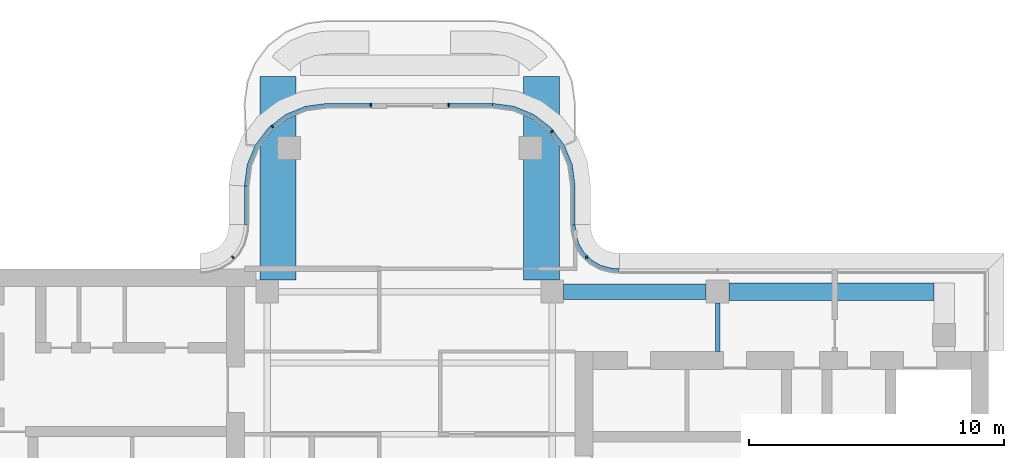
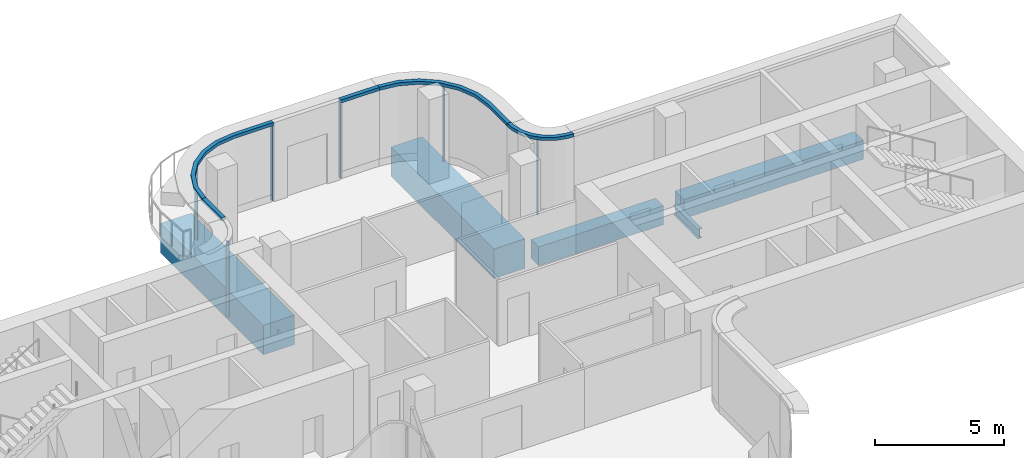
# One storey, part 4 of 11: 11 members, 5 beams, 6 elements without a shape of their own.
"""IFC4 building model written with IfcOpenShell, lengths in metres."""

from ifc_helpers import new_model, si_unit, direction, frame, origin, origin_2d, place, context, subcontext, project, spatial, polyline, rectangle, i_section, outline, extrude, source, transform, mapped, material, layer, layer_set, material_profile, profile_set, type_object, element, aggregate, save


model = new_model("IFC4")

# Units and contexts
model_context = context("Model", 3, precision=1e-05, world=origin(), true_north=direction((0.0, 1.0)))
body_context = subcontext(model_context, "Body", "Model", "MODEL_VIEW")
ifc_project = project(units=[si_unit("LENGTHUNIT", "METRE"), si_unit("AREAUNIT", "SQUARE_METRE"), si_unit("VOLUMEUNIT", "CUBIC_METRE"), si_unit("PLANEANGLEUNIT", "RADIAN"), si_unit("MASSUNIT", "GRAM", prefix="KILO")], contexts=[model_context])

# Site, building, storey
site_placement = place(None, origin())
site = spatial("IfcSite", under=ifc_project, at=site_placement, CompositionType="ELEMENT")
building_placement = place(site_placement, origin())
building = spatial("IfcBuilding", under=site, at=building_placement, Name="Trellis Farm Tower", CompositionType="ELEMENT")
storey_placement = place(building_placement, frame((0.0, 0.0, 346.10009765625)))
storey = spatial("IfcBuildingStorey", under=building, at=storey_placement, Name="L78", CompositionType="ELEMENT", Elevation=346.10009765625)

# Curtain wall, member
ifc_material_1 = material(Name="Aluminium and glass curtain wall", Category="aluminium")
ifc_layer_1 = layer(ifc_material_1, 0.176025390625)
ifc_layer_set_1 = layer_set([ifc_layer_1], Name="CROWN LANTERN CURTAIN WALL CW5")
curtain_wall_type = type_object("IfcCurtainWallType", Name="CROWN LANTERN CURTAIN WALL CW5", PredefinedType="NOTDEFINED", material=ifc_layer_set_1)
placement_1 = place(storey_placement, origin())
curtain_wall_1 = element("IfcCurtainWall", 1, at=placement_1, inside=storey, type_object=curtain_wall_type, Name="CW5 010", PredefinedType="NOTDEFINED")
ifc_material_2 = material(Name="Aluminium extrusion 6063-T6", Category="aluminium")
ifc_layer_2 = layer(ifc_material_2, 0.176025390625)
ifc_layer_set_2 = layer_set([ifc_layer_2], Name="Aluminium extrusion 6063-T6")
member_type_1 = type_object("IfcMemberType", Name="CW5 TRANSOM 176x150", PredefinedType="USERDEFINED", material=ifc_layer_set_2)
placement_2 = place(storey_placement, frame((0.0, 0.0, 3.599853515625)))
member_1 = element("IfcMember", 2, at=placement_2, type_object=member_type_1, Name="TR5 010", ObjectType="TRANSOM", PredefinedType="USERDEFINED", context=body_context, shape_type="SweptSolid", body=[
    extrude(outline(polyline([(3.25, 13.0), (1.5, 13.0), (1.5, 12.823974609375), (3.238525390625, 12.823974609375), (3.25, 13.0)])), origin(), (0.0, 0.0, 1.0), 0.150146484375),
])

curtain_wall_2 = element("IfcCurtainWall", 3, at=placement_1, inside=storey, type_object=curtain_wall_type, Name="CW5 011", PredefinedType="NOTDEFINED")
member_2 = element("IfcMember", 4, at=placement_2, type_object=member_type_1, Name="TR5 011", ObjectType="TRANSOM", PredefinedType="USERDEFINED", context=body_context, shape_type="SweptSolid", body=[
    extrude(outline(polyline([(-1.5, 13.0), (-3.25, 13.0), (-4.091064453125, 12.88916015625), (-4.875, 12.564697265625), (-5.548095703125, 12.048095703125), (-6.064697265625, 11.375), (-6.38916015625, 10.591064453125), (-6.5, 9.75), (-6.323974609375, 9.738525390625), (-6.2177734375, 10.545166015625), (-5.910888671875, 11.2861328125), (-5.422607421875, 11.922607421875), (-4.7861328125, 12.410888671875), (-4.045166015625, 12.7177734375), (-3.238525390625, 12.823974609375), (-1.5, 12.823974609375), (-1.5, 13.0)])), origin(), (0.0, 0.0, 1.0), 0.150146484375),
])

# Beams
ifc_material_3 = material(Name="Concrete C60/75", Category="concrete")
ifc_material_profile_1 = material_profile(ifc_material_3, rectangle(XDim=0.60009765625, YDim=0.89990234375, at=origin_2d()), Name="RC spandrel beam 600x900 C60/75")
ifc_profile_set_1 = profile_set([ifc_material_profile_1], Name="Concrete C60/75")
beam_type_1 = type_object("IfcBeamType", Name="RC spandrel beam 600x900 C60/75", PredefinedType="SPANDREL", material=ifc_profile_set_1)
shared_shape_1 = source(origin(), body_context, "Body", "SweptSolid", [
    extrude(rectangle(XDim=0.60009765625, YDim=0.89990234375, at=origin_2d()), origin(), (0.0, 0.0, 1.0), 5.599853515625),
])
beam_1_placement = place(storey_placement, frame((6.050048828125, 5.60009765625, -0.7001953125), z_axis=(1.0, 0.0, 0.0), x_axis=(0.0, 1.0, 0.0)))
element("IfcBeam", 5, at=beam_1_placement, inside=storey, type_object=beam_type_1, Name="Girder", PredefinedType="SPANDREL", context=body_context, shape_type="MappedRepresentation", body=[
    mapped(shared_shape_1, transform((0.0, 0.0, 0.0))),
])
ifc_material_4 = material(Name="Steel S355", Category="steel")
ifc_material_profile_2 = material_profile(ifc_material_4, i_section(OverallWidth=0.1904296875, OverallDepth=0.45703125, WebThickness=0.009033203125, FlangeThickness=0.014404296875, FilletRadius=0.01025390625, at=origin_2d()), Name="UB 457x191x74")
ifc_profile_set_2 = profile_set([ifc_material_profile_2], Name="Steel S355")
beam_type_2 = type_object("IfcBeamType", Name="UB 457x191x74", PredefinedType="BEAM", material=ifc_profile_set_2)
shared_shape_2 = source(origin(), body_context, "Body", "SweptSolid", [
    extrude(i_section(OverallWidth=0.1904296875, OverallDepth=0.45703125, WebThickness=0.009033203125, FlangeThickness=0.014404296875, FilletRadius=0.01025390625, at=origin_2d()), origin(), (0.0, 0.0, 1.0), 1.89990234375),
])
beam_2_placement = place(storey_placement, frame((12.10009765625, 3.25, -0.478515625), z_axis=(0.0, 1.0, 0.0), x_axis=(-1.0, 0.0, 0.0)))
element("IfcBeam", 6, at=beam_2_placement, inside=storey, type_object=beam_type_2, Name="Girder", PredefinedType="BEAM", context=body_context, shape_type="MappedRepresentation", body=[
    mapped(shared_shape_2, transform((0.0, 0.0, 0.0))),
])
ifc_material_5 = material(Name="Concrete C80/95", Category="concrete")
ifc_material_profile_3 = material_profile(ifc_material_5, rectangle(XDim=1.39990234375, YDim=1.39990234375, at=origin_2d()), Name="RC transfer beam 1400x1400 C80/95")
ifc_profile_set_3 = profile_set([ifc_material_profile_3], Name="Concrete C80/95")
beam_type_3 = type_object("IfcBeamType", Name="RC transfer beam 1400x1400 C80/95", PredefinedType="BEAM", material=ifc_profile_set_3)
shared_shape_3 = source(origin(), body_context, "Body", "SweptSolid", [
    extrude(rectangle(XDim=1.39990234375, YDim=1.39990234375, at=origin_2d()), origin(), (0.0, 0.0, 1.0), 8.0),
])
for number, where, z_axis, x_axis, name in (
    (7, (-5.175048828125, 6.050048828125, -0.9501953125), (0.0, 1.0, 0.0), (-1.0, 0.0, 0.0), "Transfer girder"),
    (8, (5.175048828125, 6.050048828125, -0.9501953125), (0.0, 1.0, 0.0), (-1.0, 0.0, 0.0), "Transfer girder"),
):
    element("IfcBeam", number, at=place(storey_placement, frame(where, z_axis=z_axis, x_axis=x_axis)), inside=storey, type_object=beam_type_3, Name=name, PredefinedType="BEAM", context=body_context, shape_type="MappedRepresentation", body=[
        mapped(shared_shape_3, transform((0.0, 0.0, 0.0))),
    ])
ifc_material_profile_4 = material_profile(ifc_material_3, rectangle(XDim=0.699951171875, YDim=0.89990234375, at=origin_2d()), Name="RC spandrel beam 700x900 C60/75")
ifc_profile_set_4 = profile_set([ifc_material_profile_4], Name="Concrete C60/75")
beam_type_4 = type_object("IfcBeamType", Name="RC spandrel beam 700x900 C60/75", PredefinedType="SPANDREL", material=ifc_profile_set_4)
shared_shape_4 = source(origin(), body_context, "Body", "SweptSolid", [
    extrude(rectangle(XDim=0.699951171875, YDim=0.89990234375, at=origin_2d()), origin(), (0.0, 0.0, 1.0), 8.050048828125),
])
beam_3_placement = place(storey_placement, frame((12.550048828125, 5.60009765625, -0.7001953125), z_axis=(1.0, 0.0, 0.0), x_axis=(0.0, 1.0, 0.0)))
element("IfcBeam", 9, at=beam_3_placement, inside=storey, type_object=beam_type_4, Name="Girder", PredefinedType="SPANDREL", context=body_context, shape_type="MappedRepresentation", body=[
    mapped(shared_shape_4, transform((0.0, 0.0, 0.0))),
])

# Curtain wall, member
curtain_wall_3 = element("IfcCurtainWall", 10, at=placement_1, inside=storey, type_object=curtain_wall_type, Name="CW5 008", PredefinedType="NOTDEFINED")
ifc_material_profile_5 = material_profile(ifc_material_2, rectangle(XDim=0.06005859375, YDim=0.1201171875, at=origin_2d()), Name="MULLION 60x120")
ifc_profile_set_5 = profile_set([ifc_material_profile_5], Name="Aluminium extrusion 6063-T6")
member_type_2 = type_object("IfcMemberType", Name="CW5 MULLION 60x120", PredefinedType="MULLION", material=ifc_profile_set_5)
shared_shape_5 = source(origin(), body_context, "Body", "SweptSolid", [
    extrude(rectangle(XDim=0.06005859375, YDim=0.1201171875, at=origin_2d()), origin(), (0.0, 0.0, 1.0), 3.599853515625),
])
member_3_placement = place(storey_placement, frame((6.953125, 6.953125, 0.0), z_axis=(0.0, 0.0, 1.0), x_axis=(-0.707106781187, 0.707106781187, 0.0)))
member_3 = element("IfcMember", 11, at=member_3_placement, type_object=member_type_2, Name="MU5 008-01", PredefinedType="MULLION", context=body_context, shape_type="MappedRepresentation", body=[
    mapped(shared_shape_5, transform((0.0, 0.0, 0.0))),
])

curtain_wall_4 = element("IfcCurtainWall", 12, at=placement_1, inside=storey, type_object=curtain_wall_type, Name="CW5 009", PredefinedType="NOTDEFINED")
member_4_placement = place(storey_placement, frame((5.590087890625, 11.894775390625, 0.0), z_axis=(0.0, 0.0, 1.0), x_axis=(-0.608761429009, 0.793353340291, 0.0)))
member_4 = element("IfcMember", 13, at=member_4_placement, type_object=member_type_2, Name="MU5 009-01", PredefinedType="MULLION", context=body_context, shape_type="MappedRepresentation", body=[
    mapped(shared_shape_5, transform((0.0, 0.0, 0.0))),
])

# Member
member_5_placement = place(storey_placement, frame((1.530029296875, 12.93994140625, 0.0), z_axis=(0.0, 0.0, 1.0), x_axis=(-1.0, 0.0, 0.0)))
member_5 = element("IfcMember", 14, at=member_5_placement, type_object=member_type_2, Name="MU5 010-01", PredefinedType="MULLION", context=body_context, shape_type="MappedRepresentation", body=[
    mapped(shared_shape_5, transform((0.0, 0.0, 0.0))),
])

aggregate(curtain_wall_1, [member_5, member_1])

member_6_placement = place(storey_placement, frame((-1.530029296875, 12.93994140625, 0.0), z_axis=(0.0, 0.0, 1.0), x_axis=(-1.0, 0.0, 0.0)))
member_6 = element("IfcMember", 15, at=member_6_placement, type_object=member_type_2, Name="MU5 011-01", PredefinedType="MULLION", context=body_context, shape_type="MappedRepresentation", body=[
    mapped(shared_shape_5, transform((0.0, 0.0, 0.0))),
])

member_7_placement = place(storey_placement, frame((-5.394775390625, 12.090087890625, 0.0), z_axis=(0.0, 0.0, 1.0), x_axis=(-0.793353340291, -0.608761429009, 0.0)))
member_7 = element("IfcMember", 16, at=member_7_placement, type_object=member_type_2, Name="MU5 011-02", PredefinedType="MULLION", context=body_context, shape_type="MappedRepresentation", body=[
    mapped(shared_shape_5, transform((0.0, 0.0, 0.0))),
])

aggregate(curtain_wall_2, [member_6, member_7, member_2])

# Curtain wall, member
curtain_wall_5 = element("IfcCurtainWall", 17, at=placement_1, inside=storey, type_object=curtain_wall_type, Name="CW5 013", PredefinedType="NOTDEFINED")
member_8_placement = place(storey_placement, frame((-6.953125, 6.953125, 0.0), z_axis=(0.0, 0.0, 1.0), x_axis=(-0.707106781187, -0.707106781187, 0.0)))
member_8 = element("IfcMember", 18, at=member_8_placement, type_object=member_type_2, Name="MU5 013-01", PredefinedType="MULLION", context=body_context, shape_type="MappedRepresentation", body=[
    mapped(shared_shape_5, transform((0.0, 0.0, 0.0))),
])
aggregate(curtain_wall_5, [member_8])

# Member
shared_shape_6 = source(origin(), body_context, "Body", "SweptSolid", [
    extrude(outline(polyline([(8.2314453125, 6.5), (8.01953125, 6.513916015625), (7.91552734375, 6.527587890625), (7.508544921875, 6.63671875), (7.144287109375, 6.846923828125), (6.846923828125, 7.144287109375), (6.63671875, 7.508544921875), (6.527587890625, 7.91552734375), (6.513916015625, 8.01953125), (6.5, 8.2314453125), (6.323974609375, 8.2255859375), (6.338623046875, 8.002197265625), (6.3544921875, 7.881103515625), (6.47265625, 7.440673828125), (6.7060546875, 7.0361328125), (7.0361328125, 6.7060546875), (7.440673828125, 6.47265625), (7.881103515625, 6.3544921875), (8.002197265625, 6.338623046875), (8.2255859375, 6.323974609375), (8.2314453125, 6.5)])), origin(), (0.0, 0.0, 1.0), 0.150146484375),
])
member_9 = element("IfcMember", 19, at=placement_2, type_object=member_type_1, Name="TR5 008", ObjectType="TRANSOM", PredefinedType="USERDEFINED", context=body_context, shape_type="MappedRepresentation", body=[
    mapped(shared_shape_6, transform((0.0, 0.0, 0.0))),
])

aggregate(curtain_wall_3, [member_3, member_9])

shared_shape_7 = source(origin(), body_context, "Body", "SweptSolid", [
    extrude(outline(polyline([(6.5, 8.2314453125), (6.5, 9.75), (6.38916015625, 10.591064453125), (6.064697265625, 11.375), (5.548095703125, 12.048095703125), (4.875, 12.564697265625), (4.091064453125, 12.88916015625), (3.25, 13.0), (3.238525390625, 12.823974609375), (4.045166015625, 12.7177734375), (4.7861328125, 12.410888671875), (5.422607421875, 11.922607421875), (5.910888671875, 11.2861328125), (6.2177734375, 10.545166015625), (6.323974609375, 9.738525390625), (6.323974609375, 8.2255859375), (6.5, 8.2314453125)])), origin(), (0.0, 0.0, 1.0), 0.150146484375),
])
member_10 = element("IfcMember", 20, at=placement_2, type_object=member_type_1, Name="TR5 009", ObjectType="TRANSOM", PredefinedType="USERDEFINED", context=body_context, shape_type="MappedRepresentation", body=[
    mapped(shared_shape_7, transform((0.0, 0.0, 0.0))),
])

aggregate(curtain_wall_4, [member_4, member_10])

# Curtain wall, member
curtain_wall_6 = element("IfcCurtainWall", 21, at=placement_1, inside=storey, type_object=curtain_wall_type, Name="CW5 012", PredefinedType="NOTDEFINED")
shared_shape_8 = source(origin(), body_context, "Body", "SweptSolid", [
    extrude(outline(polyline([(-6.5, 9.75), (-6.5, 8.2314453125), (-6.323974609375, 8.2255859375), (-6.323974609375, 9.738525390625), (-6.5, 9.75)])), origin(), (0.0, 0.0, 1.0), 0.150146484375),
])
member_11 = element("IfcMember", 22, at=placement_2, type_object=member_type_1, Name="TR5 012", ObjectType="TRANSOM", PredefinedType="USERDEFINED", context=body_context, shape_type="MappedRepresentation", body=[
    mapped(shared_shape_8, transform((0.0, 0.0, 0.0))),
])
aggregate(curtain_wall_6, [member_11])

save(model, "model.ifc")
